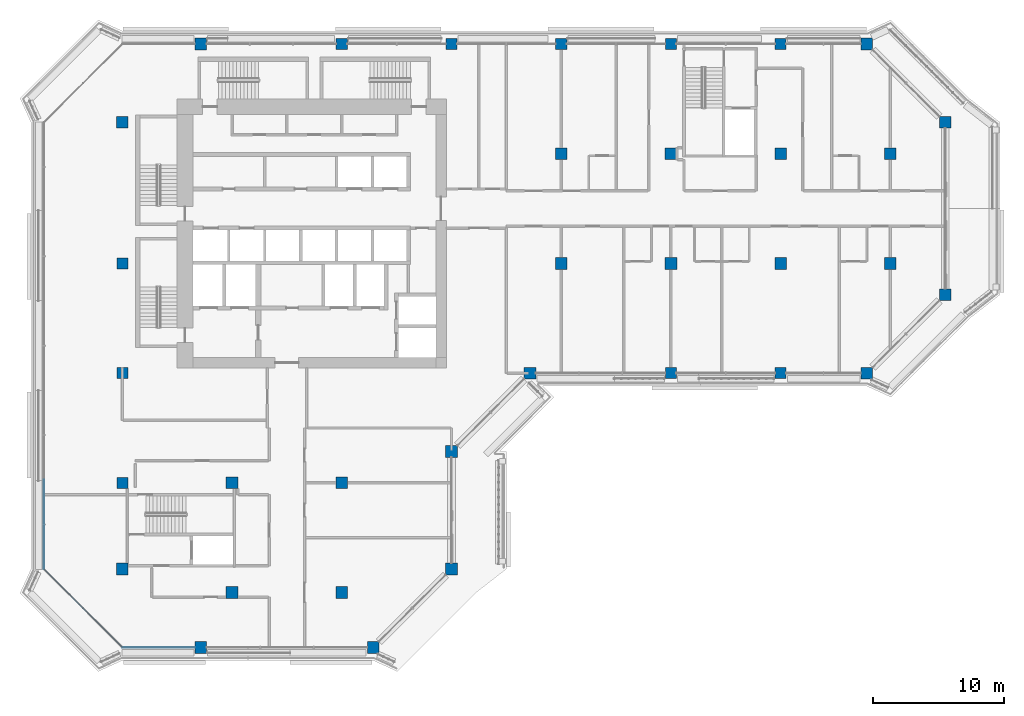
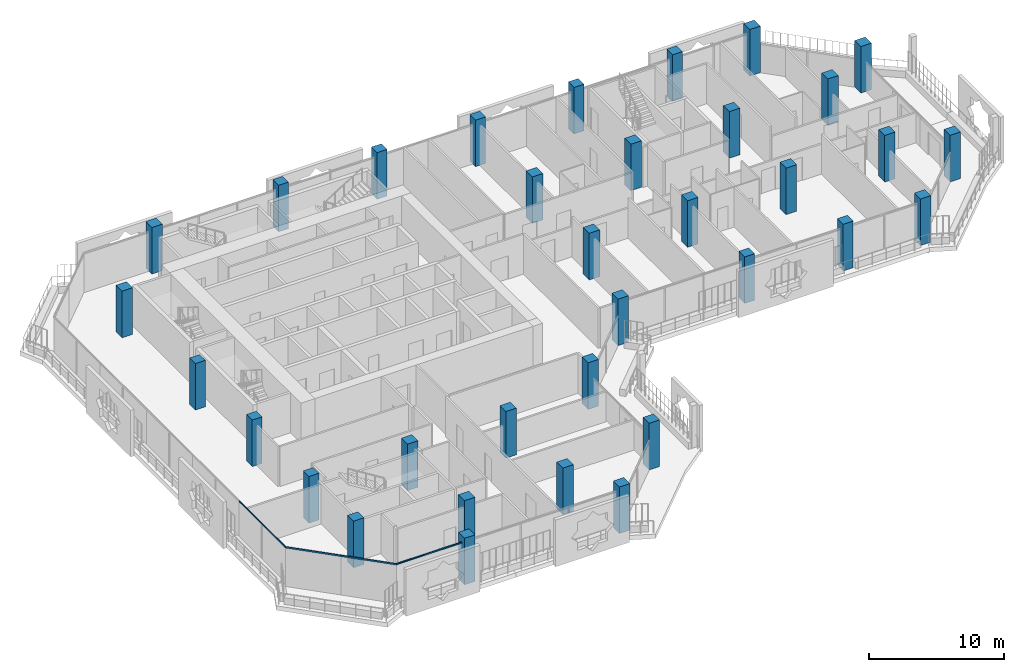
# One storey, part 1 of 22: 34 columns, 4 members, 3 elements without a shape of their own.
"""IFC4 building model written with IfcOpenShell, lengths in metres."""

from ifc_helpers import new_model, si_unit, direction, frame, origin, origin_2d, place, context, subcontext, project, spatial, rectangle, extrude, material, layer, layer_set, material_profile, profile_set, type_object, element, aggregate, save


model = new_model("IFC4")

# Units and contexts
model_context = context("Model", 3, precision=1e-05, world=origin(), true_north=direction((0.0, 1.0)))
body_context = subcontext(model_context, "Body", "Model", "MODEL_VIEW")
ifc_project = project(units=[si_unit("LENGTHUNIT", "METRE"), si_unit("AREAUNIT", "SQUARE_METRE"), si_unit("VOLUMEUNIT", "CUBIC_METRE"), si_unit("PLANEANGLEUNIT", "RADIAN"), si_unit("MASSUNIT", "GRAM", prefix="KILO")], contexts=[model_context])

# Site, building, storey
site_placement = place(None, origin())
site = spatial("IfcSite", under=ifc_project, at=site_placement, CompositionType="ELEMENT")
building_placement = place(site_placement, origin())
building = spatial("IfcBuilding", under=site, at=building_placement, Name="Kawkab Arch Medical Tower", CompositionType="ELEMENT")
storey_placement = place(building_placement, frame((0.0, 0.0, 251.60009765625)))
storey = spatial("IfcBuildingStorey", under=building, at=storey_placement, Name="L58", CompositionType="ELEMENT", Elevation=251.60009765625)

# Columns
ifc_material_1 = material(Name="Concrete C45/55", Category="concrete")
ifc_material_profile_1 = material_profile(ifc_material_1, rectangle(XDim=0.85009765625, YDim=0.85009765625, at=origin_2d()), Name="RC 850x850")
ifc_profile_set_1 = profile_set([ifc_material_profile_1], Name="Concrete C45/55")
column_type_1 = type_object("IfcColumnType", Name="RC 850x850 column C45/55", PredefinedType="COLUMN", material=ifc_profile_set_1)
for number, where, z_axis, x_axis, name in (
    (1, (16.800048828125, 0.0, 0.0), (0.0, 0.0, 1.0), (1.0, 0.0, 0.0), "Column RC 850x850"),
    (2, (25.199951171875, 0.0, 0.0), (0.0, 0.0, 1.0), (1.0, 0.0, 0.0), "Column RC 850x850"),
    (3, (33.60009765625, 0.0, 0.0), (0.0, 0.0, 1.0), (1.0, 0.0, 0.0), "Column RC 850x850"),
    (4, (42.0, 0.0, 0.0), (0.0, 0.0, 1.0), (1.0, 0.0, 0.0), "Column RC 850x850"),
    (5, (50.39990234375, 0.0, 0.0), (0.0, 0.0, 1.0), (1.0, 0.0, 0.0), "Column RC 850x850"),
    (6, (0.0, -16.800048828125, 0.0), (0.0, 0.0, 1.0), (1.0, 0.0, 0.0), "Column RC 850x850"),
    (7, (0.0, -25.199951171875, 0.0), (0.0, 0.0, 1.0), (1.0, 0.0, 0.0), "Column RC 850x850"),
    (8, (42.0, -25.199951171875, 0.0), (0.0, 0.0, 1.0), (1.0, 0.0, 0.0), "Column RC 850x850"),
    (9, (50.39990234375, -25.199951171875, 0.0), (0.0, 0.0, 1.0), (1.0, 0.0, 0.0), "Column RC 850x850"),
    (10, (0.0, -33.60009765625, 0.0), (0.0, 0.0, 1.0), (1.0, 0.0, 0.0), "Column RC 850x850"),
):
    element("IfcColumn", number, at=place(storey_placement, frame(where, z_axis=z_axis, x_axis=x_axis)), inside=storey, type_object=column_type_1, Name=name, PredefinedType="COLUMN", context=body_context, shape_type="SweptSolid", body=[
        extrude(rectangle(XDim=0.85009765625, YDim=0.85009765625, at=origin_2d()), origin(), (0.0, 0.0, 1.0), 4.199951171875),
    ])
ifc_material_2 = material(Name="Concrete C45/55", Category="concrete")
ifc_material_profile_2 = material_profile(ifc_material_2, rectangle(XDim=0.89990234375, YDim=0.89990234375, at=origin_2d()), Name="RC 900x900")
ifc_profile_set_2 = profile_set([ifc_material_profile_2], Name="Concrete C45/55")
column_type_2 = type_object("IfcColumnType", Name="RC 900x900 column C45/55", PredefinedType="COLUMN", material=ifc_profile_set_2)
for number, where, z_axis, x_axis, name in (
    (11, (6.0, 0.0, 0.0), (0.0, 0.0, 1.0), (1.0, 0.0, 0.0), "Column RC 900x900"),
    (12, (57.0, 0.0, 0.0), (0.0, 0.0, 1.0), (1.0, 0.0, 0.0), "Column RC 900x900"),
    (13, (0.0, -6.0, 0.0), (0.0, 0.0, 1.0), (1.0, 0.0, 0.0), "Column RC 900x900"),
    (14, (63.0, -6.0, 0.0), (0.0, 0.0, 1.0), (1.0, 0.0, 0.0), "Column RC 900x900"),
    (15, (33.60009765625, -8.39990234375, 0.0), (0.0, 0.0, 1.0), (1.0, 0.0, 0.0), "Column RC 900x900"),
    (16, (42.0, -8.39990234375, 0.0), (0.0, 0.0, 1.0), (1.0, 0.0, 0.0), "Column RC 900x900"),
    (17, (50.39990234375, -8.39990234375, 0.0), (0.0, 0.0, 1.0), (1.0, 0.0, 0.0), "Column RC 900x900"),
    (18, (58.800048828125, -8.39990234375, 0.0), (0.0, 0.0, 1.0), (1.0, 0.0, 0.0), "Column RC 900x900"),
    (19, (33.60009765625, -16.800048828125, 0.0), (0.0, 0.0, 1.0), (1.0, 0.0, 0.0), "Column RC 900x900"),
    (20, (42.0, -16.800048828125, 0.0), (0.0, 0.0, 1.0), (1.0, 0.0, 0.0), "Column RC 900x900"),
    (21, (50.39990234375, -16.800048828125, 0.0), (0.0, 0.0, 1.0), (1.0, 0.0, 0.0), "Column RC 900x900"),
    (22, (58.800048828125, -16.800048828125, 0.0), (0.0, 0.0, 1.0), (1.0, 0.0, 0.0), "Column RC 900x900"),
    (23, (63.0, -19.199951171875, 0.0), (0.0, 0.0, 1.0), (1.0, 0.0, 0.0), "Column RC 900x900"),
    (24, (31.199951171875, -25.199951171875, 0.0), (0.0, 0.0, 1.0), (1.0, 0.0, 0.0), "Column RC 900x900"),
    (25, (57.0, -25.199951171875, 0.0), (0.0, 0.0, 1.0), (1.0, 0.0, 0.0), "Column RC 900x900"),
    (26, (25.199951171875, -31.199951171875, 0.0), (0.0, 0.0, 1.0), (1.0, 0.0, 0.0), "Column RC 900x900"),
    (27, (8.39990234375, -33.60009765625, 0.0), (0.0, 0.0, 1.0), (1.0, 0.0, 0.0), "Column RC 900x900"),
    (28, (16.800048828125, -33.60009765625, 0.0), (0.0, 0.0, 1.0), (1.0, 0.0, 0.0), "Column RC 900x900"),
    (29, (0.0, -40.199951171875, 0.0), (0.0, 0.0, 1.0), (1.0, 0.0, 0.0), "Column RC 900x900"),
    (30, (25.199951171875, -40.199951171875, 0.0), (0.0, 0.0, 1.0), (1.0, 0.0, 0.0), "Column RC 900x900"),
    (31, (8.39990234375, -42.0, 0.0), (0.0, 0.0, 1.0), (1.0, 0.0, 0.0), "Column RC 900x900"),
    (32, (16.800048828125, -42.0, 0.0), (0.0, 0.0, 1.0), (1.0, 0.0, 0.0), "Column RC 900x900"),
    (33, (6.0, -46.199951171875, 0.0), (0.0, 0.0, 1.0), (1.0, 0.0, 0.0), "Column RC 900x900"),
    (34, (19.199951171875, -46.199951171875, 0.0), (0.0, 0.0, 1.0), (1.0, 0.0, 0.0), "Column RC 900x900"),
):
    element("IfcColumn", number, at=place(storey_placement, frame(where, z_axis=z_axis, x_axis=x_axis)), inside=storey, type_object=column_type_2, Name=name, PredefinedType="COLUMN", context=body_context, shape_type="SweptSolid", body=[
        extrude(rectangle(XDim=0.89990234375, YDim=0.89990234375, at=origin_2d()), origin(), (0.0, 0.0, 1.0), 4.199951171875),
    ])

# Curtain wall, member
ifc_material_3 = material(Name="Bronze anodised aluminium curtain wall frame", Category="aluminium")
ifc_layer_1 = layer(ifc_material_3, 0.159912109375)
ifc_layer_set_1 = layer_set([ifc_layer_1], Name="Bronze anodised aluminium curtain wall frame")
curtain_wall_type_1 = type_object("IfcCurtainWallType", Name="CW1 ward curtain wall", PredefinedType="NOTDEFINED", material=ifc_layer_set_1)
placement = place(storey_placement, origin())
curtain_wall_1 = element("IfcCurtainWall", 35, at=placement, inside=storey, type_object=curtain_wall_type_1, Name="CW1 Ward curtain wall R01", PredefinedType="NOTDEFINED")
ifc_material_4 = material(Name="Bronze anodised aluminium curtain wall frame", Category="aluminium")
ifc_material_profile_3 = material_profile(ifc_material_4, rectangle(XDim=0.06005859375, YDim=0.1201171875, at=origin_2d()), Name="AL 60x120")
ifc_profile_set_3 = profile_set([ifc_material_profile_3], Name="Bronze anodised aluminium curtain wall frame")
member_type_1 = type_object("IfcMemberType", Name="CW1 transom 120 x 60", PredefinedType="USERDEFINED", material=ifc_profile_set_3)
member_1_placement = place(storey_placement, frame((-6.0, -33.360107421875, 3.539794921875), z_axis=(0.0, -1.0, 0.0), x_axis=(1.0, 0.0, 0.0)))
member_1 = element("IfcMember", 36, at=member_1_placement, type_object=member_type_1, Name="CW1 transom 5", ObjectType="TRANSOM", PredefinedType="USERDEFINED", context=body_context, shape_type="SweptSolid", body=[
    extrude(rectangle(XDim=0.06005859375, YDim=0.1201171875, at=origin_2d()), origin(), (0.0, 0.0, 1.0), 6.83984375),
])
aggregate(curtain_wall_1, [member_1])

curtain_wall_2 = element("IfcCurtainWall", 37, at=placement, inside=storey, type_object=curtain_wall_type_1, Name="CW1 Ward curtain wall R03", PredefinedType="NOTDEFINED")
member_2_placement = place(storey_placement, frame((0.0, -46.199951171875, 3.539794921875), z_axis=(1.0, 0.0, 0.0), x_axis=(0.0, 1.0, 0.0)))
member_2 = element("IfcMember", 38, at=member_2_placement, type_object=member_type_1, Name="CW1 transom 1", ObjectType="TRANSOM", PredefinedType="USERDEFINED", context=body_context, shape_type="SweptSolid", body=[
    extrude(rectangle(XDim=0.06005859375, YDim=0.1201171875, at=origin_2d()), origin(), (0.0, 0.0, 1.0), 5.550048828125),
])
aggregate(curtain_wall_2, [member_2])

# Curtain wall, members
ifc_material_5 = material(Name="Bronze anodised aluminium curtain wall frame", Category="aluminium")
ifc_layer_2 = layer(ifc_material_5, 0.159912109375)
ifc_layer_set_2 = layer_set([ifc_layer_2], Name="Bronze anodised aluminium curtain wall frame")
curtain_wall_type_2 = type_object("IfcCurtainWallType", Name="CW2 chamfer curtain wall", PredefinedType="NOTDEFINED", material=ifc_layer_set_2)
curtain_wall_3 = element("IfcCurtainWall", 39, at=placement, inside=storey, type_object=curtain_wall_type_2, Name="CW2 Chamfer curtain wall R02", PredefinedType="NOTDEFINED")
ifc_material_6 = material(Name="Bronze anodised aluminium curtain wall frame", Category="aluminium")
ifc_material_profile_4 = material_profile(ifc_material_6, rectangle(XDim=0.06005859375, YDim=0.139892578125, at=origin_2d()), Name="AL 60x140")
ifc_profile_set_4 = profile_set([ifc_material_profile_4], Name="Bronze anodised aluminium curtain wall frame")
member_type_2 = type_object("IfcMemberType", Name="CW2 transom 140 x 60", PredefinedType="USERDEFINED", material=ifc_profile_set_4)
member_3_placement = place(storey_placement, frame((-6.0, -40.199951171875, 3.52978515625), z_axis=(0.707106781187, -0.707106781187, 0.0), x_axis=(0.707106781187, 0.707106781187, 0.0)))
member_3 = element("IfcMember", 40, at=member_3_placement, type_object=member_type_2, Name="CW2 transom 1", ObjectType="TRANSOM", PredefinedType="USERDEFINED", context=body_context, shape_type="SweptSolid", body=[
    extrude(rectangle(XDim=0.06005859375, YDim=0.139892578125, at=origin_2d()), origin(), (0.0, 0.0, 1.0), 4.24267578125),
])
member_4_placement = place(storey_placement, frame((-3.0, -43.199951171875, 3.52978515625), z_axis=(0.707106781187, -0.707106781187, 0.0), x_axis=(0.707106781187, 0.707106781187, 0.0)))
member_4 = element("IfcMember", 41, at=member_4_placement, type_object=member_type_2, Name="CW2 transom 2", ObjectType="TRANSOM", PredefinedType="USERDEFINED", context=body_context, shape_type="SweptSolid", body=[
    extrude(rectangle(XDim=0.06005859375, YDim=0.139892578125, at=origin_2d()), origin(), (0.0, 0.0, 1.0), 4.24267578125),
])
aggregate(curtain_wall_3, [member_3, member_4])

save(model, "model.ifc")
